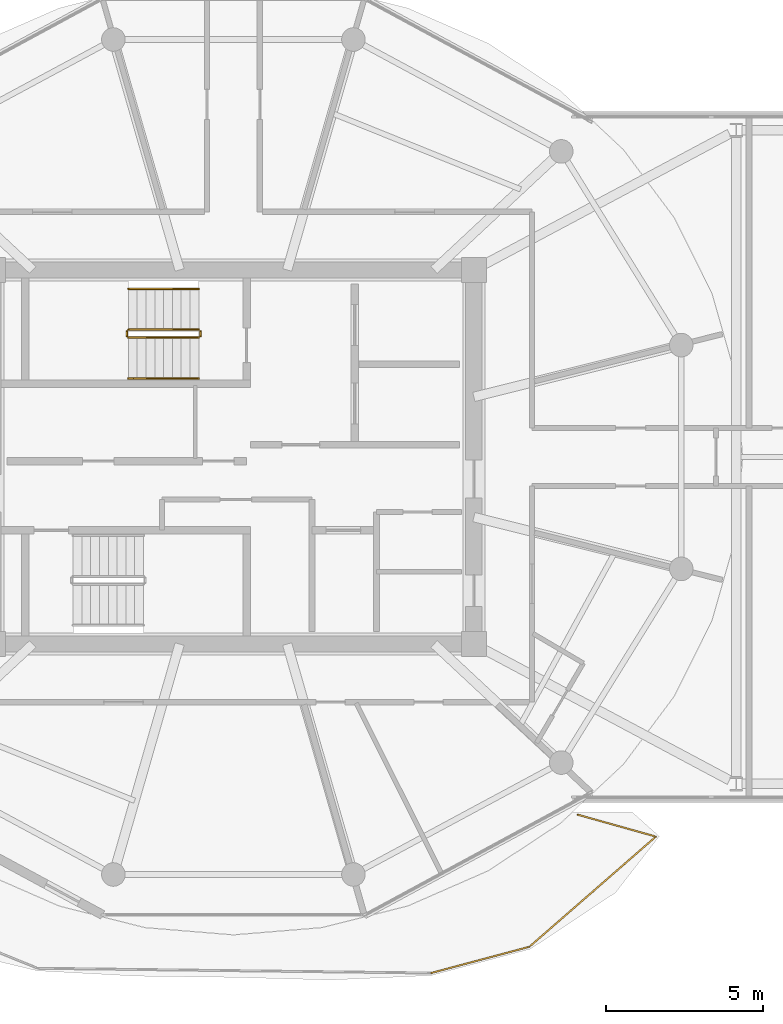
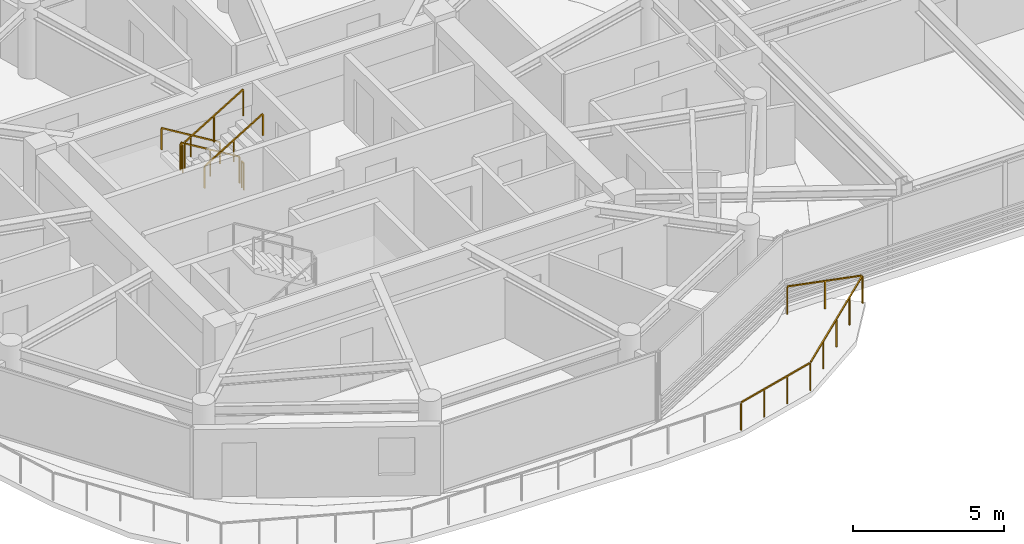
# One storey, part 21 of 23: 7 railings.
"""IFC4 building model written with IfcOpenShell, lengths in metres."""

from ifc_helpers import new_model, si_unit, direction, frame, origin, origin_2d, place, context, subcontext, project, spatial, rectangle, extrude, material, type_object, element, save


model = new_model("IFC4")

# Units and contexts
model_context = context("Model", 3, precision=1e-05, world=origin(), true_north=direction((0.0, 1.0)))
body_context = subcontext(model_context, "Body", "Model", "MODEL_VIEW")
ifc_project = project(units=[si_unit("LENGTHUNIT", "METRE"), si_unit("AREAUNIT", "SQUARE_METRE"), si_unit("VOLUMEUNIT", "CUBIC_METRE"), si_unit("PLANEANGLEUNIT", "RADIAN"), si_unit("MASSUNIT", "GRAM", prefix="KILO")], contexts=[model_context])

# Site, building, storey
site_placement = place(None, origin())
site = spatial("IfcSite", under=ifc_project, at=site_placement, CompositionType="ELEMENT")
building_placement = place(site_placement, origin())
building = spatial("IfcBuilding", under=site, at=building_placement, Name="Norrkilde Senior Care Towers", CompositionType="ELEMENT")
storey_placement = place(building_placement, frame((0.0, 0.0, 229.14990234375)))
storey = spatial("IfcBuildingStorey", under=building, at=storey_placement, Name="L71", CompositionType="ELEMENT", Elevation=229.14990234375)

# Railings
ifc_material_1 = material(Name="Anodised Aluminium", Category="aluminium")
railing_type_1 = type_object("IfcRailingType", Name="Balcony Swirl Ribbon Guardrail 1150", PredefinedType="GUARDRAIL", material=ifc_material_1)
railing_1_placement = place(storey_placement, frame((-17.04248046875, -11.3798828125, 0.0)))
element("IfcRailing", 1, at=railing_1_placement, inside=storey, type_object=railing_type_1, Name="L71 Perimeter Safety Guard 04", PredefinedType="GUARDRAIL", context=body_context, shape_type="SweptSolid", body=[
    extrude(rectangle(XDim=0.048095703125, YDim=0.048095703125, at=origin_2d()), frame((0.0, 0.0, 1.1259765625), z_axis=(0.962880392276, -0.269928416753, 0.0), x_axis=(0.269928416753, 0.962880392276, 0.0)), (0.0, 0.0, 1.0), 2.537841796875),
    extrude(rectangle(XDim=0.048095703125, YDim=0.048095703125, at=origin_2d()), frame((2.4521484375, -0.722900390625, 1.1259765625), z_axis=(-0.754127640876, -0.656727874592, 0.0), x_axis=(0.656727874592, -0.754127640876, 0.0)), (0.0, 0.0, 1.0), 5.254638671875),
    extrude(rectangle(XDim=0.048095703125, YDim=0.048095703125, at=origin_2d()), frame((-1.5810546875, -4.211181640625, 1.1259765625), z_axis=(-0.966137367532, -0.258028267942, 0.0), x_axis=(0.258028267942, -0.966137367532, 0.0)), (0.0, 0.0, 1.0), 3.20068359375),
    extrude(rectangle(XDim=0.0419921875, YDim=0.0419921875, at=origin_2d()), origin(), (0.0, 0.0, 1.0), 1.099853515625),
    extrude(rectangle(XDim=0.0419921875, YDim=0.0419921875, at=origin_2d()), frame((1.241455078125, -0.34814453125, 0.0)), (0.0, 0.0, 1.0), 1.099853515625),
    extrude(rectangle(XDim=0.0419921875, YDim=0.0419921875, at=origin_2d()), frame((2.48291015625, -0.696044921875, 0.0)), (0.0, 0.0, 1.0), 1.099853515625),
    extrude(rectangle(XDim=0.0419921875, YDim=0.0419921875, at=origin_2d()), frame((1.476806640625, -1.572265625, 0.0)), (0.0, 0.0, 1.0), 1.099853515625),
    extrude(rectangle(XDim=0.0419921875, YDim=0.0419921875, at=origin_2d()), frame((0.470703125, -2.4482421875, 0.0)), (0.0, 0.0, 1.0), 1.099853515625),
    extrude(rectangle(XDim=0.0419921875, YDim=0.0419921875, at=origin_2d()), frame((-0.535400390625, -3.324462890625, 0.0)), (0.0, 0.0, 1.0), 1.099853515625),
    extrude(rectangle(XDim=0.0419921875, YDim=0.0419921875, at=origin_2d()), frame((-1.54150390625, -4.20068359375, 0.0)), (0.0, 0.0, 1.0), 1.099853515625),
    extrude(rectangle(XDim=0.0419921875, YDim=0.0419921875, at=origin_2d()), frame((-2.58544921875, -4.4794921875, 0.0)), (0.0, 0.0, 1.0), 1.099853515625),
    extrude(rectangle(XDim=0.0419921875, YDim=0.0419921875, at=origin_2d()), frame((-3.62939453125, -4.75830078125, 0.0)), (0.0, 0.0, 1.0), 1.099853515625),
    extrude(rectangle(XDim=0.0419921875, YDim=0.0419921875, at=origin_2d()), frame((-4.67333984375, -5.037109375, 0.0)), (0.0, 0.0, 1.0), 1.099853515625),
])
ifc_material_2 = material(Name="Stainless Steel", Category="steel")
railing_type_2 = type_object("IfcRailingType", Name="Stair and Terrace Guardrail 1100", PredefinedType="GUARDRAIL", material=ifc_material_2)
railing_2_placement = place(storey_placement, frame((-29.10009765625, 4.050048828125, 0.16943359375)))
element("IfcRailing", 2, at=railing_2_placement, inside=storey, type_object=railing_type_2, Name="L71 ST-W1 stair guard 1", PredefinedType="GUARDRAIL", context=body_context, shape_type="SweptSolid", body=[
    extrude(rectangle(XDim=0.048095703125, YDim=0.048095703125, at=origin_2d()), frame((0.0, 0.0, 1.076171875), z_axis=(-0.855512035549, 0.0, 0.517782924622), x_axis=(0.0, -1.0, 0.0)), (0.0, 0.0, 1.0), 2.618408203125),
    extrude(rectangle(XDim=0.0419921875, YDim=0.0419921875, at=origin_2d()), origin(), (0.0, 0.0, 1.0), 1.050048828125),
    extrude(rectangle(XDim=0.0419921875, YDim=0.0419921875, at=origin_2d()), frame((-1.1201171875, 0.0, 0.677734375)), (0.0, 0.0, 1.0), 1.050048828125),
    extrude(rectangle(XDim=0.0419921875, YDim=0.0419921875, at=origin_2d()), frame((-2.239990234375, 0.0, 1.355712890625)), (0.0, 0.0, 1.0), 1.050048828125),
])
railing_3_placement = place(storey_placement, frame((-31.389892578125, 4.0, 1.525146484375)))
element("IfcRailing", 3, at=railing_3_placement, inside=storey, type_object=railing_type_2, Name="L71 ST-W1 stair guard 2", PredefinedType="GUARDRAIL", context=body_context, shape_type="SweptSolid", body=[
    extrude(rectangle(XDim=0.048095703125, YDim=0.048095703125, at=origin_2d()), frame((0.0, 0.0, 1.076171875), z_axis=(0.0, -1.0, 0.0), x_axis=(1.0, 0.0, 0.0)), (0.0, 0.0, 1.0), 0.14990234375),
    extrude(rectangle(XDim=0.0419921875, YDim=0.0419921875, at=origin_2d()), origin(), (0.0, 0.0, 1.0), 1.050048828125),
    extrude(rectangle(XDim=0.0419921875, YDim=0.0419921875, at=origin_2d()), frame((0.0, -0.14990234375, 0.0)), (0.0, 0.0, 1.0), 1.050048828125),
])
railing_4_placement = place(storey_placement, frame((-31.340087890625, 3.800048828125, 1.694580078125)))
element("IfcRailing", 4, at=railing_4_placement, inside=storey, type_object=railing_type_2, Name="L71 ST-W1 stair guard 3", PredefinedType="GUARDRAIL", context=body_context, shape_type="SweptSolid", body=[
    extrude(rectangle(XDim=0.048095703125, YDim=0.048095703125, at=origin_2d()), frame((0.0, 0.0, 1.076171875), z_axis=(0.855553338991, 0.0, 0.51771467445), x_axis=(0.0, 1.0, 0.0)), (0.0, 0.0, 1.0), 2.6181640625),
    extrude(rectangle(XDim=0.0419921875, YDim=0.0419921875, at=origin_2d()), origin(), (0.0, 0.0, 1.0), 1.050048828125),
    extrude(rectangle(XDim=0.0419921875, YDim=0.0419921875, at=origin_2d()), frame((1.1201171875, 0.0, 0.677734375)), (0.0, 0.0, 1.0), 1.050048828125),
    extrude(rectangle(XDim=0.0419921875, YDim=0.0419921875, at=origin_2d()), frame((2.239990234375, 0.0, 1.35546875)), (0.0, 0.0, 1.0), 1.050048828125),
])
railing_5_placement = place(storey_placement, frame((-29.050048828125, 4.0, 0.0)))
element("IfcRailing", 5, at=railing_5_placement, inside=storey, type_object=railing_type_2, Name="L71 ST-W1 stair guard 4", PredefinedType="GUARDRAIL", context=body_context, shape_type="SweptSolid", body=[
    extrude(rectangle(XDim=0.048095703125, YDim=0.048095703125, at=origin_2d()), frame((0.0, 0.0, 1.076171875), z_axis=(0.0, -1.0, 0.0), x_axis=(1.0, 0.0, 0.0)), (0.0, 0.0, 1.0), 0.14990234375),
    extrude(rectangle(XDim=0.0419921875, YDim=0.0419921875, at=origin_2d()), origin(), (0.0, 0.0, 1.0), 1.050048828125),
    extrude(rectangle(XDim=0.0419921875, YDim=0.0419921875, at=origin_2d()), frame((0.0, -0.14990234375, 0.0)), (0.0, 0.0, 1.0), 1.050048828125),
])
ifc_material_3 = material(Name="Nordic Ash Timber", Category="wood")
railing_type_3 = type_object("IfcRailingType", Name="Wall and Stair Handrail 900", PredefinedType="HANDRAIL", material=ifc_material_3)
railing_6_placement = place(storey_placement, frame((-29.10009765625, 5.35009765625, 0.16943359375)))
element("IfcRailing", 6, at=railing_6_placement, inside=storey, type_object=railing_type_3, Name="L71 ST-W1 stair handrail 1", PredefinedType="HANDRAIL", context=body_context, shape_type="SweptSolid", body=[
    extrude(rectangle(XDim=0.048095703125, YDim=0.048095703125, at=origin_2d()), frame((0.0, 0.0, 0.8759765625), z_axis=(-0.855512035549, 0.0, 0.517782924622), x_axis=(0.0, -1.0, 0.0)), (0.0, 0.0, 1.0), 2.618408203125),
    extrude(rectangle(XDim=0.0419921875, YDim=0.0419921875, at=origin_2d()), origin(), (0.0, 0.0, 1.0), 0.849853515625),
    extrude(rectangle(XDim=0.0419921875, YDim=0.0419921875, at=origin_2d()), frame((-1.1201171875, 0.0, 0.677734375)), (0.0, 0.0, 1.0), 0.849853515625),
    extrude(rectangle(XDim=0.0419921875, YDim=0.0419921875, at=origin_2d()), frame((-2.239990234375, 0.0, 1.355712890625)), (0.0, 0.0, 1.0), 0.849853515625),
])
railing_7_placement = place(storey_placement, frame((-31.340087890625, 2.5, 1.694580078125)))
element("IfcRailing", 7, at=railing_7_placement, inside=storey, type_object=railing_type_3, Name="L71 ST-W1 stair handrail 2", PredefinedType="HANDRAIL", context=body_context, shape_type="SweptSolid", body=[
    extrude(rectangle(XDim=0.048095703125, YDim=0.048095703125, at=origin_2d()), frame((0.0, 0.0, 0.8759765625), z_axis=(0.855553338991, 0.0, 0.51771467445), x_axis=(0.0, 1.0, 0.0)), (0.0, 0.0, 1.0), 2.6181640625),
    extrude(rectangle(XDim=0.0419921875, YDim=0.0419921875, at=origin_2d()), origin(), (0.0, 0.0, 1.0), 0.849853515625),
    extrude(rectangle(XDim=0.0419921875, YDim=0.0419921875, at=origin_2d()), frame((1.1201171875, 0.0, 0.677734375)), (0.0, 0.0, 1.0), 0.849853515625),
    extrude(rectangle(XDim=0.0419921875, YDim=0.0419921875, at=origin_2d()), frame((2.239990234375, 0.0, 1.35546875)), (0.0, 0.0, 1.0), 0.849853515625),
])

save(model, "model.ifc")
